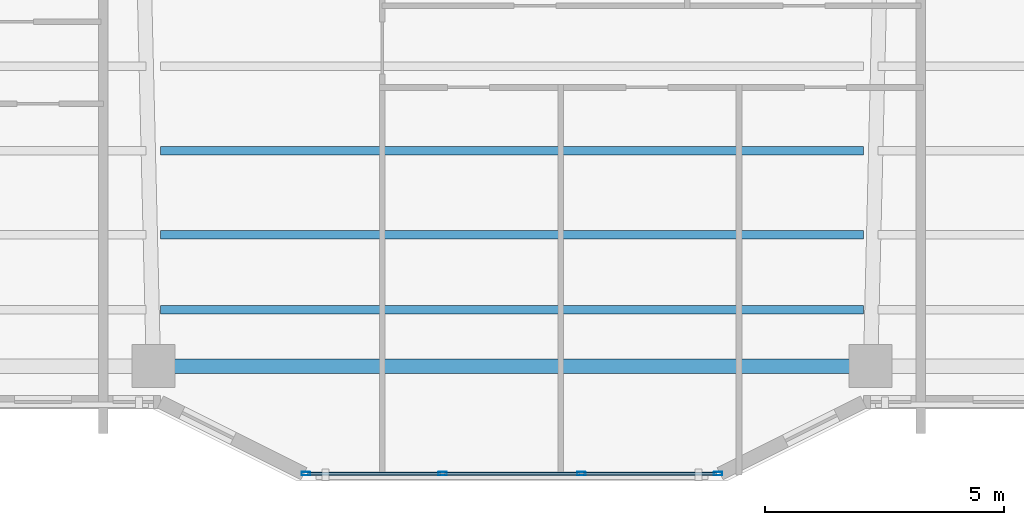
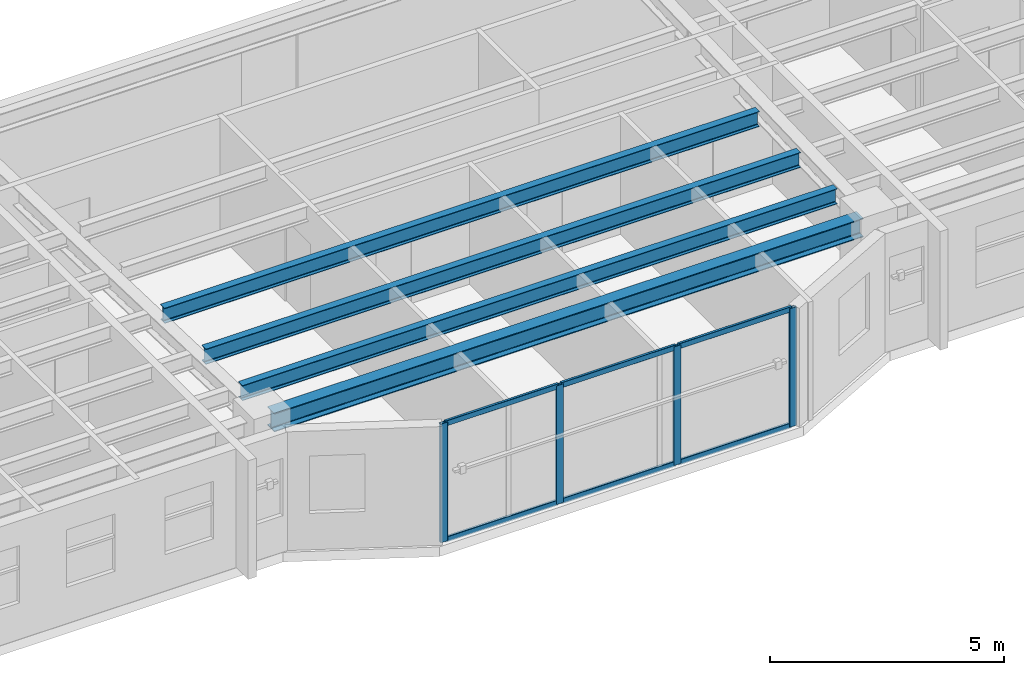
# One storey, part 2 of 16: 10 members, 4 beams, 1 element without a shape of its own.
"""IFC4 building model written with IfcOpenShell, lengths in metres."""

from ifc_helpers import new_model, si_unit, direction, frame, origin, origin_2d, place, context, subcontext, project, spatial, hollow_rectangle, i_section, extrude, material, layer, layer_set, material_profile, profile_set, type_object, element, aggregate, save


model = new_model("IFC4")

# Units and contexts
model_context = context("Model", 3, precision=1e-05, world=origin(), true_north=direction((0.0, 1.0)))
body_context = subcontext(model_context, "Body", "Model", "MODEL_VIEW")
ifc_project = project(units=[si_unit("LENGTHUNIT", "METRE"), si_unit("AREAUNIT", "SQUARE_METRE"), si_unit("VOLUMEUNIT", "CUBIC_METRE"), si_unit("PLANEANGLEUNIT", "RADIAN"), si_unit("MASSUNIT", "GRAM", prefix="KILO")], contexts=[model_context])

# Site, building, storey
site_placement = place(None, origin())
site = spatial("IfcSite", under=ifc_project, at=site_placement, CompositionType="ELEMENT")
building_placement = place(site_placement, origin())
building = spatial("IfcBuilding", under=site, at=building_placement, Name="Tarnavaz Court Tower", CompositionType="ELEMENT")
storey_placement = place(building_placement, frame((0.0, 0.0, 146.0)))
storey = spatial("IfcBuildingStorey", under=building, at=storey_placement, Name="L39", CompositionType="ELEMENT", Elevation=146.0)

# Beams
ifc_material_1 = material(Name="Steel S355", Category="steel")
ifc_material_profile_1 = material_profile(ifc_material_1, i_section(OverallWidth=0.179931640625, OverallDepth=0.39990234375, WebThickness=0.008544921875, FlangeThickness=0.013427734375, FilletRadius=0.02099609375, at=origin_2d()), Name="IPE 400")
ifc_profile_set_1 = profile_set([ifc_material_profile_1], Name="Steel S355")
beam_type_1 = type_object("IfcBeamType", Name="BM-J-IPE400", PredefinedType="JOIST", material=ifc_profile_set_1)
for number, where, z_axis, x_axis, name in (
    (1, (-7.35009765625, -15.89208984375, 2.89990234375), (1.0, 0.0, 0.0), (0.0, 1.0, 0.0), "L39 Beam JS3-2"),
    (2, (-7.35009765625, -17.656005859375, 2.89990234375), (1.0, 0.0, 0.0), (0.0, 1.0, 0.0), "L39 Beam JS4-2"),
    (3, (-7.35009765625, -19.22412109375, 2.89990234375), (1.0, 0.0, 0.0), (0.0, 1.0, 0.0), "L39 Beam JS5-2"),
):
    element("IfcBeam", number, at=place(storey_placement, frame(where, z_axis=z_axis, x_axis=x_axis)), inside=storey, type_object=beam_type_1, Name=name, PredefinedType="JOIST", context=body_context, shape_type="SweptSolid", body=[
        extrude(i_section(OverallWidth=0.179931640625, OverallDepth=0.39990234375, WebThickness=0.008544921875, FlangeThickness=0.013427734375, FilletRadius=0.02099609375, at=origin_2d()), origin(), (0.0, 0.0, 1.0), 14.7001953125),
    ])
ifc_material_profile_2 = material_profile(ifc_material_1, i_section(OverallWidth=0.300048828125, OverallDepth=0.489990234375, WebThickness=0.011962890625, FlangeThickness=0.02294921875, FilletRadius=0.027099609375, at=origin_2d()), Name="HEA 500")
ifc_profile_set_2 = profile_set([ifc_material_profile_2], Name="Steel S355")
beam_type_2 = type_object("IfcBeamType", Name="BM-SP-HEA500", PredefinedType="SPANDREL", material=ifc_profile_set_2)
beam_placement = place(storey_placement, frame((-7.280029296875, -20.39990234375, 2.85498046875), z_axis=(1.0, 0.0, 0.0), x_axis=(0.0, 1.0, 0.0)))
element("IfcBeam", 4, at=beam_placement, inside=storey, type_object=beam_type_2, Name="L39 Beam PR-PS-2-PS-3", PredefinedType="SPANDREL", context=body_context, shape_type="SweptSolid", body=[
    extrude(i_section(OverallWidth=0.300048828125, OverallDepth=0.489990234375, WebThickness=0.011962890625, FlangeThickness=0.02294921875, FilletRadius=0.027099609375, at=origin_2d()), origin(), (0.0, 0.0, 1.0), 14.56005859375),
])

# Curtain wall, members
ifc_material_2 = material(Name="Anodised Aluminium 6063-T6 and Solar Low-E Glazing", Category="aluminium")
ifc_layer = layer(ifc_material_2, 0.159912109375)
ifc_layer_set = layer_set([ifc_layer], Name="Anodised Aluminium 6063-T6 and Solar Low-E Glazing")
curtain_wall_type = type_object("IfcCurtainWallType", Name="CW-SYS-03", PredefinedType="NOTDEFINED", material=ifc_layer_set)
curtain_wall_placement = place(storey_placement, origin())
curtain_wall = element("IfcCurtainWall", 5, at=curtain_wall_placement, inside=storey, type_object=curtain_wall_type, Name="L39 Iwan Prow Curtain Wall 17", PredefinedType="NOTDEFINED")
ifc_material_3 = material(Name="Anodised Aluminium 6063-T6", Category="aluminium")
ifc_material_profile_3 = material_profile(ifc_material_3, hollow_rectangle(XDim=0.074951171875, YDim=0.179931640625, WallThickness=0.0048828125, InnerFilletRadius=0.0048828125, OuterFilletRadius=0.010009765625, at=origin_2d()), Name="ALU RHS 180X75X5")
ifc_profile_set_3 = profile_set([ifc_material_profile_3], Name="Anodised Aluminium 6063-T6")
member_type_1 = type_object("IfcMemberType", Name="CW-MUL-180", PredefinedType="MULLION", material=ifc_profile_set_3)
member_1_placement = place(storey_placement, frame((4.3125, -22.64990234375, 0.0), z_axis=(0.0, 0.0, 1.0), x_axis=(0.0, -1.0, 0.0)))
member_1 = element("IfcMember", 6, at=member_1_placement, type_object=member_type_1, Name="CW mullion 1", PredefinedType="MULLION", context=body_context, shape_type="SweptSolid", body=[
    extrude(hollow_rectangle(XDim=0.074951171875, YDim=0.179931640625, WallThickness=0.0048828125, InnerFilletRadius=0.0048828125, OuterFilletRadius=0.010009765625, at=origin_2d()), origin(), (0.0, 0.0, 1.0), 3.10009765625),
])
member_2_placement = place(storey_placement, frame((1.449951171875, -22.64990234375, 0.0), z_axis=(0.0, 0.0, 1.0), x_axis=(0.0, -1.0, 0.0)))
member_2 = element("IfcMember", 7, at=member_2_placement, type_object=member_type_1, Name="CW mullion 2", PredefinedType="MULLION", context=body_context, shape_type="SweptSolid", body=[
    extrude(hollow_rectangle(XDim=0.074951171875, YDim=0.179931640625, WallThickness=0.0048828125, InnerFilletRadius=0.0048828125, OuterFilletRadius=0.010009765625, at=origin_2d()), origin(), (0.0, 0.0, 1.0), 3.10009765625),
])
member_3_placement = place(storey_placement, frame((-1.449951171875, -22.64990234375, 0.0), z_axis=(0.0, 0.0, 1.0), x_axis=(0.0, -1.0, 0.0)))
member_3 = element("IfcMember", 8, at=member_3_placement, type_object=member_type_1, Name="CW mullion 3", PredefinedType="MULLION", context=body_context, shape_type="SweptSolid", body=[
    extrude(hollow_rectangle(XDim=0.074951171875, YDim=0.179931640625, WallThickness=0.0048828125, InnerFilletRadius=0.0048828125, OuterFilletRadius=0.010009765625, at=origin_2d()), origin(), (0.0, 0.0, 1.0), 3.10009765625),
])
member_4_placement = place(storey_placement, frame((-4.3125, -22.64990234375, 0.0), z_axis=(0.0, 0.0, 1.0), x_axis=(0.0, -1.0, 0.0)))
member_4 = element("IfcMember", 9, at=member_4_placement, type_object=member_type_1, Name="CW mullion 4", PredefinedType="MULLION", context=body_context, shape_type="SweptSolid", body=[
    extrude(hollow_rectangle(XDim=0.074951171875, YDim=0.179931640625, WallThickness=0.0048828125, InnerFilletRadius=0.0048828125, OuterFilletRadius=0.010009765625, at=origin_2d()), origin(), (0.0, 0.0, 1.0), 3.10009765625),
])
ifc_material_profile_4 = material_profile(ifc_material_3, hollow_rectangle(XDim=0.06494140625, YDim=0.139892578125, WallThickness=0.00390625, InnerFilletRadius=0.00390625, OuterFilletRadius=0.008056640625, at=origin_2d()), Name="ALU RHS 140X65X4")
ifc_profile_set_4 = profile_set([ifc_material_profile_4], Name="Anodised Aluminium 6063-T6")
member_type_2 = type_object("IfcMemberType", Name="CW-TRN-140", PredefinedType="USERDEFINED", material=ifc_profile_set_4)
member_5_placement = place(storey_placement, frame((4.27490234375, -22.64990234375, 0.032470703125), z_axis=(-1.0, 0.0, 0.0), x_axis=(0.0, -1.0, 0.0)))
member_5 = element("IfcMember", 10, at=member_5_placement, type_object=member_type_2, Name="CW transom 1.1", ObjectType="TRANSOM", PredefinedType="USERDEFINED", context=body_context, shape_type="SweptSolid", body=[
    extrude(hollow_rectangle(XDim=0.06494140625, YDim=0.139892578125, WallThickness=0.00390625, InnerFilletRadius=0.00390625, OuterFilletRadius=0.008056640625, at=origin_2d()), origin(), (0.0, 0.0, 1.0), 2.787353515625),
])
member_6_placement = place(storey_placement, frame((4.27490234375, -22.64990234375, 3.0673828125), z_axis=(-1.0, 0.0, 0.0), x_axis=(0.0, -1.0, 0.0)))
member_6 = element("IfcMember", 11, at=member_6_placement, type_object=member_type_2, Name="CW transom 1.2", ObjectType="TRANSOM", PredefinedType="USERDEFINED", context=body_context, shape_type="SweptSolid", body=[
    extrude(hollow_rectangle(XDim=0.06494140625, YDim=0.139892578125, WallThickness=0.00390625, InnerFilletRadius=0.00390625, OuterFilletRadius=0.008056640625, at=origin_2d()), origin(), (0.0, 0.0, 1.0), 2.787353515625),
])
member_7_placement = place(storey_placement, frame((1.41259765625, -22.64990234375, 0.032470703125), z_axis=(-1.0, 0.0, 0.0), x_axis=(0.0, -1.0, 0.0)))
member_7 = element("IfcMember", 12, at=member_7_placement, type_object=member_type_2, Name="CW transom 2.1", ObjectType="TRANSOM", PredefinedType="USERDEFINED", context=body_context, shape_type="SweptSolid", body=[
    extrude(hollow_rectangle(XDim=0.06494140625, YDim=0.139892578125, WallThickness=0.00390625, InnerFilletRadius=0.00390625, OuterFilletRadius=0.008056640625, at=origin_2d()), origin(), (0.0, 0.0, 1.0), 2.8251953125),
])
member_8_placement = place(storey_placement, frame((1.41259765625, -22.64990234375, 3.0673828125), z_axis=(-1.0, 0.0, 0.0), x_axis=(0.0, -1.0, 0.0)))
member_8 = element("IfcMember", 13, at=member_8_placement, type_object=member_type_2, Name="CW transom 2.2", ObjectType="TRANSOM", PredefinedType="USERDEFINED", context=body_context, shape_type="SweptSolid", body=[
    extrude(hollow_rectangle(XDim=0.06494140625, YDim=0.139892578125, WallThickness=0.00390625, InnerFilletRadius=0.00390625, OuterFilletRadius=0.008056640625, at=origin_2d()), origin(), (0.0, 0.0, 1.0), 2.8251953125),
])
member_9_placement = place(storey_placement, frame((-1.487548828125, -22.64990234375, 0.032470703125), z_axis=(-1.0, 0.0, 0.0), x_axis=(0.0, -1.0, 0.0)))
member_9 = element("IfcMember", 14, at=member_9_placement, type_object=member_type_2, Name="CW transom 3.1", ObjectType="TRANSOM", PredefinedType="USERDEFINED", context=body_context, shape_type="SweptSolid", body=[
    extrude(hollow_rectangle(XDim=0.06494140625, YDim=0.139892578125, WallThickness=0.00390625, InnerFilletRadius=0.00390625, OuterFilletRadius=0.008056640625, at=origin_2d()), origin(), (0.0, 0.0, 1.0), 2.787353515625),
])
member_10_placement = place(storey_placement, frame((-1.487548828125, -22.64990234375, 3.0673828125), z_axis=(-1.0, 0.0, 0.0), x_axis=(0.0, -1.0, 0.0)))
member_10 = element("IfcMember", 15, at=member_10_placement, type_object=member_type_2, Name="CW transom 3.2", ObjectType="TRANSOM", PredefinedType="USERDEFINED", context=body_context, shape_type="SweptSolid", body=[
    extrude(hollow_rectangle(XDim=0.06494140625, YDim=0.139892578125, WallThickness=0.00390625, InnerFilletRadius=0.00390625, OuterFilletRadius=0.008056640625, at=origin_2d()), origin(), (0.0, 0.0, 1.0), 2.787353515625),
])
aggregate(curtain_wall, [member_1, member_2, member_3, member_4, member_5, member_6, member_7, member_8, member_9, member_10])

save(model, "model.ifc")
